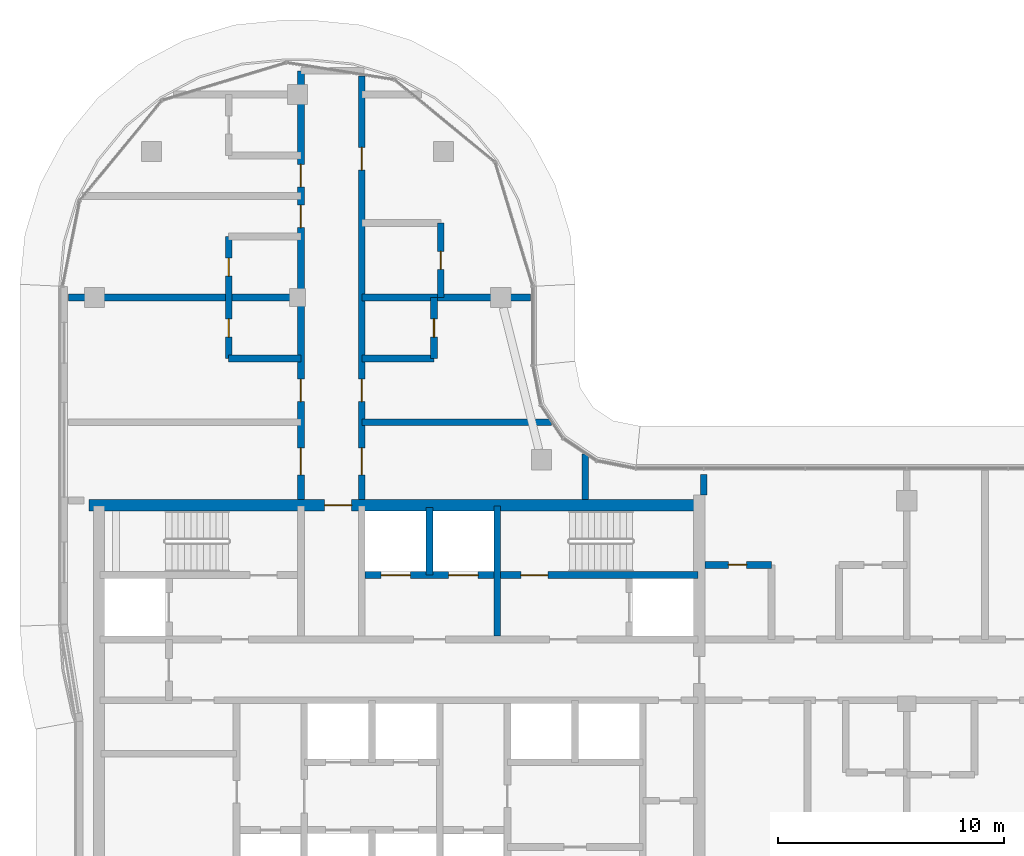
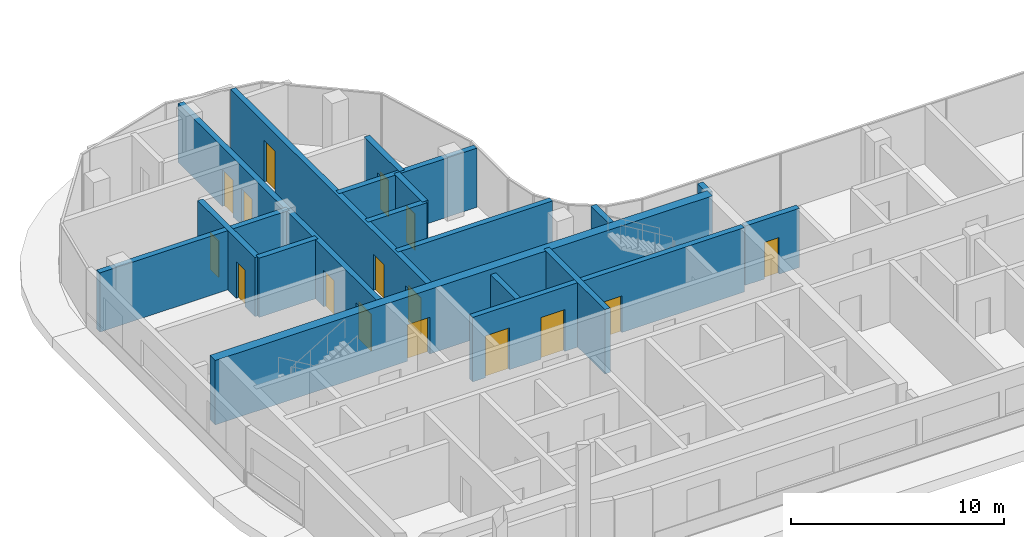
# One storey, part 10 of 21: 17 walls, 16 doors, 16 openings.
"""IFC4 building model written with IfcOpenShell, lengths in metres."""

from ifc_helpers import new_model, si_unit, direction, frame, frame_2d, origin, place, context, subcontext, project, spatial, rectangle, extrude, material, layer, layer_set, type_object, element, fill, save


model = new_model("IFC4")

# Units and contexts
model_context = context("Model", 3, precision=1e-05, world=origin(), true_north=direction((0.0, 1.0)))
body_context = subcontext(model_context, "Body", "Model", "MODEL_VIEW")
ifc_project = project(units=[si_unit("LENGTHUNIT", "METRE"), si_unit("AREAUNIT", "SQUARE_METRE"), si_unit("VOLUMEUNIT", "CUBIC_METRE"), si_unit("PLANEANGLEUNIT", "RADIAN"), si_unit("MASSUNIT", "GRAM", prefix="KILO")], contexts=[model_context])

# Site, building, storey
site_placement = place(None, origin())
site = spatial("IfcSite", under=ifc_project, at=site_placement, CompositionType="ELEMENT")
building_placement = place(site_placement, origin())
building = spatial("IfcBuilding", under=site, at=building_placement, Name="Ogive Portal Towers", CompositionType="ELEMENT")
storey_placement = place(building_placement, frame((0.0, 0.0, 225.39990234375)))
storey = spatial("IfcBuildingStorey", under=building, at=storey_placement, Name="L56", CompositionType="ELEMENT", Elevation=225.39990234375)

# Wall, openings, doors
ifc_material_1 = material(Name="Concrete C60/75", Category="concrete")
ifc_layer_1 = layer(ifc_material_1, 0.300048828125)
ifc_layer_set_1 = layer_set([ifc_layer_1], Name="CORE WALL 300 C60")
wall_type_1 = type_object("IfcWallType", Name="CORE WALL 300 C60", PredefinedType="SHEAR", material=ifc_layer_set_1)
wall_1_placement = place(storey_placement, frame((43.5, 36.199951171875, 0.0), z_axis=(0.0, 0.0, 1.0), x_axis=(1.0, 0.0, 0.0)))
wall_1 = element("IfcWall", 1, at=wall_1_placement, inside=storey, type_object=wall_type_1, Name="Core wall Y3b L56", PredefinedType="SHEAR", context=body_context, shape_type="SweptSolid", body=[
    extrude(rectangle(XDim=14.75, YDim=0.300048828125, at=frame_2d((7.375, 0.0))), origin(), (0.0, 0.0, 1.0), 3.7001953125),
])
opening_1_placement = place(wall_1_placement, frame((6.89990234375, 0.0, 0.0)))
opening_1 = element("IfcOpeningElement", 2, at=opening_1_placement, cuts=wall_1, Name="Opening D25-006", PredefinedType="OPENING", context=body_context, shape_type="SweptSolid", body=[
    extrude(rectangle(XDim=1.199951171875, YDim=2.10009765625, at=frame_2d((0.60009765625, 1.050048828125))), frame((0.0, 0.16015625, 0.0), z_axis=(0.0, -1.0, 0.0), x_axis=(1.0, 0.0, 0.0)), (0.0, 0.0, 1.0), 0.320068359375),
])
opening_2_placement = place(wall_1_placement, frame((0.699951171875, 0.0, 0.0)))
opening_2 = element("IfcOpeningElement", 3, at=opening_2_placement, cuts=wall_1, Name="Opening D25-017", PredefinedType="OPENING", context=body_context, shape_type="SweptSolid", body=[
    extrude(rectangle(XDim=1.300048828125, YDim=2.39990234375, at=frame_2d((0.64990234375, 1.199951171875))), frame((0.0, 0.16015625, 0.0), z_axis=(0.0, -1.0, 0.0), x_axis=(1.0, 0.0, 0.0)), (0.0, 0.0, 1.0), 0.320068359375),
])
opening_3_placement = place(wall_1_placement, frame((3.699951171875, 0.0, 0.0)))
opening_3 = element("IfcOpeningElement", 4, at=opening_3_placement, cuts=wall_1, Name="Opening D25-018", PredefinedType="OPENING", context=body_context, shape_type="SweptSolid", body=[
    extrude(rectangle(XDim=1.300048828125, YDim=2.39990234375, at=frame_2d((0.64990234375, 1.199951171875))), frame((0.0, 0.16015625, 0.0), z_axis=(0.0, -1.0, 0.0), x_axis=(1.0, 0.0, 0.0)), (0.0, 0.0, 1.0), 0.320068359375),
])
ifc_material_2 = material(Name="Stainless steel", Category="steel")
door_type_1 = type_object("IfcDoorType", Name="DT-LD-1300x2400", OperationType="SLIDING_TO_LEFT", PredefinedType="DOOR", material=ifc_material_2)
door_1_placement = place(opening_2_placement, origin())
door_1 = element("IfcDoor", 5, at=door_1_placement, inside=storey, type_object=door_type_1, Name="Door D25-017", OperationType="SLIDING_TO_LEFT", OverallHeight=2.39990234375, OverallWidth=1.300048828125, PredefinedType="DOOR", context=body_context, shape_type="SweptSolid", body=[
    extrude(rectangle(XDim=1.300048828125, YDim=2.39990234375, at=frame_2d((0.64990234375, 1.199951171875))), frame((0.0, 0.02490234375, 0.0), z_axis=(0.0, -1.0, 0.0), x_axis=(1.0, 0.0, 0.0)), (0.0, 0.0, 1.0), 0.050048828125),
])
fill(opening_2, door_1)
door_2_placement = place(opening_3_placement, origin())
door_2 = element("IfcDoor", 6, at=door_2_placement, inside=storey, type_object=door_type_1, Name="Door D25-018", OperationType="SLIDING_TO_LEFT", OverallHeight=2.39990234375, OverallWidth=1.300048828125, PredefinedType="DOOR", context=body_context, shape_type="SweptSolid", body=[
    extrude(rectangle(XDim=1.300048828125, YDim=2.39990234375, at=frame_2d((0.64990234375, 1.199951171875))), frame((0.0, 0.02490234375, 0.0), z_axis=(0.0, -1.0, 0.0), x_axis=(1.0, 0.0, 0.0)), (0.0, 0.0, 1.0), 0.050048828125),
])
fill(opening_3, door_2)
ifc_material_3 = material(Name="Steel fire door", Category="steel")
door_type_2 = type_object("IfcDoorType", Name="DT-SWING-1200x2100-FD90S", OperationType="SINGLE_SWING_LEFT", PredefinedType="DOOR", material=ifc_material_3)
door_3_placement = place(opening_1_placement, origin())
door_3 = element("IfcDoor", 7, at=door_3_placement, inside=storey, type_object=door_type_2, Name="Door D25-006", OperationType="SINGLE_SWING_LEFT", OverallHeight=2.10009765625, OverallWidth=1.199951171875, PredefinedType="DOOR", context=body_context, shape_type="SweptSolid", body=[
    extrude(rectangle(XDim=1.199951171875, YDim=2.10009765625, at=frame_2d((0.60009765625, 1.050048828125))), frame((0.0, 0.02490234375, 0.0), z_axis=(0.0, -1.0, 0.0), x_axis=(1.0, 0.0, 0.0)), (0.0, 0.0, 1.0), 0.050048828125),
])
fill(opening_1, door_3)

# Wall
wall_2_placement = place(storey_placement, frame((49.35009765625, 33.5, 0.0), z_axis=(0.0, 0.0, 1.0), x_axis=(0.0, 1.0, 0.0)))
element("IfcWall", 8, at=wall_2_placement, inside=storey, type_object=wall_type_1, Name="Core wall X9 L56", PredefinedType="SHEAR", context=body_context, shape_type="SweptSolid", body=[
    extrude(rectangle(XDim=5.75, YDim=0.300048828125, at=frame_2d((2.875, 0.0))), origin(), (0.0, 0.0, 1.0), 3.7001953125),
])

# Wall, opening, door
ifc_layer_2 = layer(ifc_material_1, 0.5)
ifc_layer_set_2 = layer_set([ifc_layer_2], Name="CORE WALL 500 C60")
wall_type_2 = type_object("IfcWallType", Name="CORE WALL 500 C60", PredefinedType="SHEAR", material=ifc_layer_set_2)
wall_3_placement = place(storey_placement, frame((31.25, 39.300048828125, 0.0), z_axis=(0.0, 0.0, 1.0), x_axis=(1.0, 0.0, 0.0)))
wall_3 = element("IfcWall", 9, at=wall_3_placement, inside=storey, type_object=wall_type_2, Name="Core wall N L56", PredefinedType="SHEAR", context=body_context, shape_type="SweptSolid", body=[
    extrude(rectangle(XDim=27.0, YDim=0.5, at=frame_2d((13.5, 0.0))), origin(), (0.0, 0.0, 1.0), 3.7001953125),
])
opening_4_placement = place(wall_3_placement, frame((10.449951171875, 0.0, 0.0)))
opening_4 = element("IfcOpeningElement", 10, at=opening_4_placement, cuts=wall_3, Name="Opening D25-012", PredefinedType="OPENING", context=body_context, shape_type="SweptSolid", body=[
    extrude(rectangle(XDim=1.199951171875, YDim=2.10009765625, at=frame_2d((0.60009765625, 1.050048828125))), frame((0.0, 0.260009765625, 0.0), z_axis=(0.0, -1.0, 0.0), x_axis=(1.0, 0.0, 0.0)), (0.0, 0.0, 1.0), 0.52001953125),
])
door_4_placement = place(opening_4_placement, origin())
door_4 = element("IfcDoor", 11, at=door_4_placement, inside=storey, type_object=door_type_2, Name="Door D25-012", OperationType="SINGLE_SWING_RIGHT", OverallHeight=2.10009765625, OverallWidth=1.199951171875, PredefinedType="DOOR", context=body_context, shape_type="SweptSolid", body=[
    extrude(rectangle(XDim=1.199951171875, YDim=2.10009765625, at=frame_2d((0.60009765625, 1.050048828125))), frame((0.0, 0.02490234375, 0.0), z_axis=(0.0, -1.0, 0.0), x_axis=(1.0, 0.0, 0.0)), (0.0, 0.0, 1.0), 0.050048828125),
])
fill(opening_4, door_4)

ifc_material_4 = material(Name="Gypsum board partition on steel studs", Category="steel")
ifc_layer_3 = layer(ifc_material_4, 0.300048828125)
ifc_layer_set_3 = layer_set([ifc_layer_3], Name="WT-PART-300-EI 60")
wall_type_3 = type_object("IfcWallType", Name="WT-PART-300-EI 60", PredefinedType="PARTITIONING", material=ifc_layer_set_3)
wall_4_placement = place(storey_placement, frame((58.550048828125, 36.64990234375, 0.0), z_axis=(0.0, 0.0, 1.0), x_axis=(1.0, 0.0, 0.0)))
wall_4 = element("IfcWall", 12, at=wall_4_placement, inside=storey, type_object=wall_type_3, Name="Wall L56:w011", PredefinedType="PARTITIONING", context=body_context, shape_type="SweptSolid", body=[
    extrude(rectangle(XDim=2.949951171875, YDim=0.300048828125, at=frame_2d((1.47509765625, 0.0))), origin(), (0.0, 0.0, 1.0), 3.400146484375),
])
opening_5_placement = place(wall_4_placement, frame((1.050048828125, 0.0, 0.0)))
opening_5 = element("IfcOpeningElement", 13, at=opening_5_placement, cuts=wall_4, Name="Opening D25-026", PredefinedType="OPENING", context=body_context, shape_type="SweptSolid", body=[
    extrude(rectangle(XDim=0.800048828125, YDim=2.10009765625, at=frame_2d((0.39990234375, 1.050048828125))), frame((0.0, 0.16015625, 0.0), z_axis=(0.0, -1.0, 0.0), x_axis=(1.0, 0.0, 0.0)), (0.0, 0.0, 1.0), 0.320068359375),
])
door_type_3 = type_object("IfcDoorType", Name="DT-BATH-800x2100-FD60S", OperationType="SINGLE_SWING_LEFT", PredefinedType="DOOR", material=ifc_material_3)
door_5_placement = place(opening_5_placement, origin())
door_5 = element("IfcDoor", 14, at=door_5_placement, inside=storey, type_object=door_type_3, Name="Door D25-026", OperationType="SINGLE_SWING_LEFT", OverallHeight=2.10009765625, OverallWidth=0.800048828125, PredefinedType="DOOR", context=body_context, shape_type="SweptSolid", body=[
    extrude(rectangle(XDim=0.800048828125, YDim=2.10009765625, at=frame_2d((0.39990234375, 1.050048828125))), frame((0.0, 0.02490234375, 0.0), z_axis=(0.0, -1.0, 0.0), x_axis=(1.0, 0.0, 0.0)), (0.0, 0.0, 1.0), 0.050048828125),
])
fill(opening_5, door_5)

# Walls
wall_5_placement = place(storey_placement, frame((43.35009765625, 42.969970703125, 0.0), z_axis=(0.0, 0.0, 1.0), x_axis=(1.0, 0.0, 0.0)))
element("IfcWall", 15, at=wall_5_placement, inside=storey, type_object=wall_type_3, Name="Wall L56:w016", PredefinedType="PARTITIONING", context=body_context, shape_type="SweptSolid", body=[
    extrude(rectangle(XDim=8.40185546875, YDim=0.300048828125, at=frame_2d((4.200927734375, 0.0))), origin(), (0.0, 0.0, 1.0), 3.400146484375),
])
for number, where, z_axis, x_axis, name in (
    (16, (37.449951171875, 45.800048828125, 0.0), (0.0, 0.0, 1.0), (1.0, 0.0, 0.0), "Wall L56:w017"),
    (17, (43.35009765625, 45.800048828125, 0.0), (0.0, 0.0, 1.0), (1.0, 0.0, 0.0), "Wall L56:w018"),
):
    element("IfcWall", number, at=place(storey_placement, frame(where, z_axis=z_axis, x_axis=x_axis)), inside=storey, type_object=wall_type_3, Name=name, PredefinedType="PARTITIONING", context=body_context, shape_type="SweptSolid", body=[
        extrude(rectangle(XDim=3.199951171875, YDim=0.300048828125, at=frame_2d((1.60009765625, 0.0))), origin(), (0.0, 0.0, 1.0), 3.400146484375),
    ])
wall_6_placement = place(storey_placement, frame((30.35009765625, 48.5, 0.0), z_axis=(0.0, 0.0, 1.0), x_axis=(1.0, 0.0, 0.0)))
element("IfcWall", 18, at=wall_6_placement, inside=storey, type_object=wall_type_3, Name="Wall L56:w019", PredefinedType="PARTITIONING", context=body_context, shape_type="SweptSolid", body=[
    extrude(rectangle(XDim=10.2998046875, YDim=0.300048828125, at=frame_2d((5.14990234375, 0.0))), origin(), (0.0, 0.0, 1.0), 3.400146484375),
])
wall_7_placement = place(storey_placement, frame((43.35009765625, 48.5, 0.0), z_axis=(0.0, 0.0, 1.0), x_axis=(1.0, 0.0, 0.0)))
element("IfcWall", 19, at=wall_7_placement, inside=storey, type_object=wall_type_3, Name="Wall L56:w020", PredefinedType="PARTITIONING", context=body_context, shape_type="SweptSolid", body=[
    extrude(rectangle(XDim=7.47998046875, YDim=0.300048828125, at=frame_2d((3.739990234375, 0.0))), origin(), (0.0, 0.0, 1.0), 3.400146484375),
])

# Wall, openings, doors
wall_8_placement = place(storey_placement, frame((37.449951171875, 45.800048828125, 0.0), z_axis=(0.0, 0.0, 1.0), x_axis=(0.0, 1.0, 0.0)))
wall_8 = element("IfcWall", 20, at=wall_8_placement, inside=storey, type_object=wall_type_3, Name="Wall L56:w028", PredefinedType="PARTITIONING", context=body_context, shape_type="SweptSolid", body=[
    extrude(rectangle(XDim=5.39990234375, YDim=0.300048828125, at=frame_2d((2.699951171875, 0.0))), origin(), (0.0, 0.0, 1.0), 3.400146484375),
])
opening_6_placement = place(wall_8_placement, frame((0.949951171875, 0.0, 0.0)))
opening_6 = element("IfcOpeningElement", 21, at=opening_6_placement, cuts=wall_8, Name="Opening D25-047", PredefinedType="OPENING", context=body_context, shape_type="SweptSolid", body=[
    extrude(rectangle(XDim=0.800048828125, YDim=2.10009765625, at=frame_2d((0.39990234375, 1.050048828125))), frame((0.0, 0.16015625, 0.0), z_axis=(0.0, -1.0, 0.0), x_axis=(1.0, 0.0, 0.0)), (0.0, 0.0, 1.0), 0.320068359375),
])
opening_7_placement = place(wall_8_placement, frame((3.64990234375, 0.0, 0.0)))
opening_7 = element("IfcOpeningElement", 22, at=opening_7_placement, cuts=wall_8, Name="Opening D25-051", PredefinedType="OPENING", context=body_context, shape_type="SweptSolid", body=[
    extrude(rectangle(XDim=0.800048828125, YDim=2.10009765625, at=frame_2d((0.39990234375, 1.050048828125))), frame((0.0, 0.16015625, 0.0), z_axis=(0.0, -1.0, 0.0), x_axis=(1.0, 0.0, 0.0)), (0.0, 0.0, 1.0), 0.320068359375),
])
door_6_placement = place(opening_6_placement, origin())
door_6 = element("IfcDoor", 23, at=door_6_placement, inside=storey, type_object=door_type_3, Name="Door D25-047", OperationType="SINGLE_SWING_LEFT", OverallHeight=2.10009765625, OverallWidth=0.800048828125, PredefinedType="DOOR", context=body_context, shape_type="SweptSolid", body=[
    extrude(rectangle(XDim=0.800048828125, YDim=2.10009765625, at=frame_2d((0.39990234375, 1.050048828125))), frame((0.0, 0.02490234375, 0.0), z_axis=(0.0, -1.0, 0.0), x_axis=(1.0, 0.0, 0.0)), (0.0, 0.0, 1.0), 0.050048828125),
])
fill(opening_6, door_6)
door_7_placement = place(opening_7_placement, origin())
door_7 = element("IfcDoor", 24, at=door_7_placement, inside=storey, type_object=door_type_3, Name="Door D25-051", OperationType="SINGLE_SWING_RIGHT", OverallHeight=2.10009765625, OverallWidth=0.800048828125, PredefinedType="DOOR", context=body_context, shape_type="SweptSolid", body=[
    extrude(rectangle(XDim=0.800048828125, YDim=2.10009765625, at=frame_2d((0.39990234375, 1.050048828125))), frame((0.0, 0.02490234375, 0.0), z_axis=(0.0, -1.0, 0.0), x_axis=(1.0, 0.0, 0.0)), (0.0, 0.0, 1.0), 0.050048828125),
])
fill(opening_7, door_7)

wall_9_placement = place(storey_placement, frame((40.64990234375, 39.550048828125, 0.0), z_axis=(0.0, 0.0, 1.0), x_axis=(0.0, 1.0, 0.0)))
wall_9 = element("IfcWall", 25, at=wall_9_placement, inside=storey, type_object=wall_type_3, Name="Wall L56:w030", PredefinedType="PARTITIONING", context=body_context, shape_type="SweptSolid", body=[
    extrude(rectangle(XDim=19.0, YDim=0.300048828125, at=frame_2d((9.5, 0.0))), origin(), (0.0, 0.0, 1.0), 3.400146484375),
])
opening_8_placement = place(wall_9_placement, frame((1.0849609375, 0.0, 0.0)))
opening_8 = element("IfcOpeningElement", 26, at=opening_8_placement, cuts=wall_9, Name="Opening D25-046", PredefinedType="OPENING", context=body_context, shape_type="SweptSolid", body=[
    extrude(rectangle(XDim=1.199951171875, YDim=2.10009765625, at=frame_2d((0.60009765625, 1.050048828125))), frame((0.0, 0.16015625, 0.0), z_axis=(0.0, -1.0, 0.0), x_axis=(1.0, 0.0, 0.0)), (0.0, 0.0, 1.0), 0.320068359375),
])
opening_9_placement = place(wall_9_placement, frame((4.3349609375, 0.0, 0.0)))
opening_9 = element("IfcOpeningElement", 27, at=opening_9_placement, cuts=wall_9, Name="Opening D25-048", PredefinedType="OPENING", context=body_context, shape_type="SweptSolid", body=[
    extrude(rectangle(XDim=1.0, YDim=2.10009765625, at=frame_2d((0.5, 1.050048828125))), frame((0.0, 0.16015625, 0.0), z_axis=(0.0, -1.0, 0.0), x_axis=(1.0, 0.0, 0.0)), (0.0, 0.0, 1.0), 0.320068359375),
])
opening_10_placement = place(wall_9_placement, frame((12.050048828125, 0.0, 0.0)))
opening_10 = element("IfcOpeningElement", 28, at=opening_10_placement, cuts=wall_9, Name="Opening D25-052", PredefinedType="OPENING", context=body_context, shape_type="SweptSolid", body=[
    extrude(rectangle(XDim=1.0, YDim=2.10009765625, at=frame_2d((0.5, 1.050048828125))), frame((0.0, 0.16015625, 0.0), z_axis=(0.0, -1.0, 0.0), x_axis=(1.0, 0.0, 0.0)), (0.0, 0.0, 1.0), 0.320068359375),
])
opening_11_placement = place(wall_9_placement, frame((13.85009765625, 0.0, 0.0)))
opening_11 = element("IfcOpeningElement", 29, at=opening_11_placement, cuts=wall_9, Name="Opening D25-054", PredefinedType="OPENING", context=body_context, shape_type="SweptSolid", body=[
    extrude(rectangle(XDim=1.0, YDim=2.10009765625, at=frame_2d((0.5, 1.050048828125))), frame((0.0, 0.16015625, 0.0), z_axis=(0.0, -1.0, 0.0), x_axis=(1.0, 0.0, 0.0)), (0.0, 0.0, 1.0), 0.320068359375),
])
door_type_4 = type_object("IfcDoorType", Name="DT-ENTRY-1000x2100-FD60S", OperationType="SINGLE_SWING_LEFT", PredefinedType="DOOR", material=ifc_material_3)
door_8_placement = place(opening_9_placement, origin())
door_8 = element("IfcDoor", 30, at=door_8_placement, inside=storey, type_object=door_type_4, Name="Door D25-048", OperationType="SINGLE_SWING_LEFT", OverallHeight=2.10009765625, OverallWidth=1.0, PredefinedType="DOOR", context=body_context, shape_type="SweptSolid", body=[
    extrude(rectangle(XDim=1.0, YDim=2.10009765625, at=frame_2d((0.5, 1.050048828125))), frame((0.0, 0.02490234375, 0.0), z_axis=(0.0, -1.0, 0.0), x_axis=(1.0, 0.0, 0.0)), (0.0, 0.0, 1.0), 0.050048828125),
])
fill(opening_9, door_8)
door_9_placement = place(opening_10_placement, origin())
door_9 = element("IfcDoor", 31, at=door_9_placement, inside=storey, type_object=door_type_4, Name="Door D25-052", OperationType="SINGLE_SWING_LEFT", OverallHeight=2.10009765625, OverallWidth=1.0, PredefinedType="DOOR", context=body_context, shape_type="SweptSolid", body=[
    extrude(rectangle(XDim=1.0, YDim=2.10009765625, at=frame_2d((0.5, 1.050048828125))), frame((0.0, 0.02490234375, 0.0), z_axis=(0.0, -1.0, 0.0), x_axis=(1.0, 0.0, 0.0)), (0.0, 0.0, 1.0), 0.050048828125),
])
fill(opening_10, door_9)
door_10_placement = place(opening_11_placement, origin())
door_10 = element("IfcDoor", 32, at=door_10_placement, inside=storey, type_object=door_type_4, Name="Door D25-054", OperationType="SINGLE_SWING_LEFT", OverallHeight=2.10009765625, OverallWidth=1.0, PredefinedType="DOOR", context=body_context, shape_type="SweptSolid", body=[
    extrude(rectangle(XDim=1.0, YDim=2.10009765625, at=frame_2d((0.5, 1.050048828125))), frame((0.0, 0.02490234375, 0.0), z_axis=(0.0, -1.0, 0.0), x_axis=(1.0, 0.0, 0.0)), (0.0, 0.0, 1.0), 0.050048828125),
])
fill(opening_11, door_10)
door_type_5 = type_object("IfcDoorType", Name="DT-ENTRY-1200x2100-FD60S", OperationType="SINGLE_SWING_LEFT", PredefinedType="DOOR", material=ifc_material_3)
door_11_placement = place(opening_8_placement, origin())
door_11 = element("IfcDoor", 33, at=door_11_placement, inside=storey, type_object=door_type_5, Name="Door D25-046", OperationType="SINGLE_SWING_RIGHT", OverallHeight=2.10009765625, OverallWidth=1.199951171875, PredefinedType="DOOR", context=body_context, shape_type="SweptSolid", body=[
    extrude(rectangle(XDim=1.199951171875, YDim=2.10009765625, at=frame_2d((0.60009765625, 1.050048828125))), frame((0.0, 0.02490234375, 0.0), z_axis=(0.0, -1.0, 0.0), x_axis=(1.0, 0.0, 0.0)), (0.0, 0.0, 1.0), 0.050048828125),
])
fill(opening_8, door_11)

wall_10_placement = place(storey_placement, frame((43.35009765625, 39.550048828125, 0.0), z_axis=(0.0, 0.0, 1.0), x_axis=(0.0, 1.0, 0.0)))
wall_10 = element("IfcWall", 34, at=wall_10_placement, inside=storey, type_object=wall_type_3, Name="Wall L56:w031", PredefinedType="PARTITIONING", context=body_context, shape_type="SweptSolid", body=[
    extrude(rectangle(XDim=18.77099609375, YDim=0.300048828125, at=frame_2d((9.385498046875, 0.0))), origin(), (0.0, 0.0, 1.0), 3.400146484375),
])
opening_12_placement = place(wall_10_placement, frame((1.0849609375, 0.0, 0.0)))
opening_12 = element("IfcOpeningElement", 35, at=opening_12_placement, cuts=wall_10, Name="Opening D25-043", PredefinedType="OPENING", context=body_context, shape_type="SweptSolid", body=[
    extrude(rectangle(XDim=1.199951171875, YDim=2.10009765625, at=frame_2d((0.60009765625, 1.050048828125))), frame((0.0, 0.16015625, 0.0), z_axis=(0.0, -1.0, 0.0), x_axis=(1.0, 0.0, 0.0)), (0.0, 0.0, 1.0), 0.320068359375),
])
opening_13_placement = place(wall_10_placement, frame((4.3349609375, 0.0, 0.0)))
opening_13 = element("IfcOpeningElement", 36, at=opening_13_placement, cuts=wall_10, Name="Opening D25-045", PredefinedType="OPENING", context=body_context, shape_type="SweptSolid", body=[
    extrude(rectangle(XDim=1.0, YDim=2.10009765625, at=frame_2d((0.5, 1.050048828125))), frame((0.0, 0.16015625, 0.0), z_axis=(0.0, -1.0, 0.0), x_axis=(1.0, 0.0, 0.0)), (0.0, 0.0, 1.0), 0.320068359375),
])
opening_14_placement = place(wall_10_placement, frame((14.60009765625, 0.0, 0.0)))
opening_14 = element("IfcOpeningElement", 37, at=opening_14_placement, cuts=wall_10, Name="Opening D25-050", PredefinedType="OPENING", context=body_context, shape_type="SweptSolid", body=[
    extrude(rectangle(XDim=1.0, YDim=2.39990234375, at=frame_2d((0.5, 1.199951171875))), frame((0.0, 0.16015625, 0.0), z_axis=(0.0, -1.0, 0.0), x_axis=(1.0, 0.0, 0.0)), (0.0, 0.0, 1.0), 0.320068359375),
])
door_12_placement = place(opening_13_placement, origin())
door_12 = element("IfcDoor", 38, at=door_12_placement, inside=storey, type_object=door_type_4, Name="Door D25-045", OperationType="SINGLE_SWING_LEFT", OverallHeight=2.10009765625, OverallWidth=1.0, PredefinedType="DOOR", context=body_context, shape_type="SweptSolid", body=[
    extrude(rectangle(XDim=1.0, YDim=2.10009765625, at=frame_2d((0.5, 1.050048828125))), frame((0.0, 0.02490234375, 0.0), z_axis=(0.0, -1.0, 0.0), x_axis=(1.0, 0.0, 0.0)), (0.0, 0.0, 1.0), 0.050048828125),
])
fill(opening_13, door_12)
door_type_6 = type_object("IfcDoorType", Name="DT-ENTRY-1000x2400-FD60S", OperationType="SINGLE_SWING_LEFT", PredefinedType="DOOR", material=ifc_material_3)
door_13_placement = place(opening_14_placement, origin())
door_13 = element("IfcDoor", 39, at=door_13_placement, inside=storey, type_object=door_type_6, Name="Door D25-050", OperationType="SINGLE_SWING_RIGHT", OverallHeight=2.39990234375, OverallWidth=1.0, PredefinedType="DOOR", context=body_context, shape_type="SweptSolid", body=[
    extrude(rectangle(XDim=1.0, YDim=2.39990234375, at=frame_2d((0.5, 1.199951171875))), frame((0.0, 0.02490234375, 0.0), z_axis=(0.0, -1.0, 0.0), x_axis=(1.0, 0.0, 0.0)), (0.0, 0.0, 1.0), 0.050048828125),
])
fill(opening_14, door_13)
door_14_placement = place(opening_12_placement, origin())
door_14 = element("IfcDoor", 40, at=door_14_placement, inside=storey, type_object=door_type_5, Name="Door D25-043", OperationType="SINGLE_SWING_RIGHT", OverallHeight=2.10009765625, OverallWidth=1.199951171875, PredefinedType="DOOR", context=body_context, shape_type="SweptSolid", body=[
    extrude(rectangle(XDim=1.199951171875, YDim=2.10009765625, at=frame_2d((0.60009765625, 1.050048828125))), frame((0.0, 0.02490234375, 0.0), z_axis=(0.0, -1.0, 0.0), x_axis=(1.0, 0.0, 0.0)), (0.0, 0.0, 1.0), 0.050048828125),
])
fill(opening_12, door_14)

# Wall, opening, door
wall_11_placement = place(storey_placement, frame((46.550048828125, 45.800048828125, 0.0), z_axis=(0.0, 0.0, 1.0), x_axis=(0.0, 1.0, 0.0)))
wall_11 = element("IfcWall", 41, at=wall_11_placement, inside=storey, type_object=wall_type_3, Name="Wall L56:w032", PredefinedType="PARTITIONING", context=body_context, shape_type="SweptSolid", body=[
    extrude(rectangle(XDim=2.699951171875, YDim=0.300048828125, at=frame_2d((1.35009765625, 0.0))), origin(), (0.0, 0.0, 1.0), 3.400146484375),
])
opening_15_placement = place(wall_11_placement, frame((0.949951171875, 0.0, 0.0)))
opening_15 = element("IfcOpeningElement", 42, at=opening_15_placement, cuts=wall_11, Name="Opening D25-044", PredefinedType="OPENING", context=body_context, shape_type="SweptSolid", body=[
    extrude(rectangle(XDim=0.800048828125, YDim=2.10009765625, at=frame_2d((0.39990234375, 1.050048828125))), frame((0.0, 0.16015625, 0.0), z_axis=(0.0, -1.0, 0.0), x_axis=(1.0, 0.0, 0.0)), (0.0, 0.0, 1.0), 0.320068359375),
])
door_15_placement = place(opening_15_placement, origin())
door_15 = element("IfcDoor", 43, at=door_15_placement, inside=storey, type_object=door_type_3, Name="Door D25-044", OperationType="SINGLE_SWING_LEFT", OverallHeight=2.10009765625, OverallWidth=0.800048828125, PredefinedType="DOOR", context=body_context, shape_type="SweptSolid", body=[
    extrude(rectangle(XDim=0.800048828125, YDim=2.10009765625, at=frame_2d((0.39990234375, 1.050048828125))), frame((0.0, 0.02490234375, 0.0), z_axis=(0.0, -1.0, 0.0), x_axis=(1.0, 0.0, 0.0)), (0.0, 0.0, 1.0), 0.050048828125),
])
fill(opening_15, door_15)

wall_12_placement = place(storey_placement, frame((46.85009765625, 48.5, 0.0), z_axis=(0.0, 0.0, 1.0), x_axis=(0.0, 1.0, 0.0)))
wall_12 = element("IfcWall", 44, at=wall_12_placement, inside=storey, type_object=wall_type_3, Name="Wall L56:w033", PredefinedType="PARTITIONING", context=body_context, shape_type="SweptSolid", body=[
    extrude(rectangle(XDim=3.300048828125, YDim=0.300048828125, at=frame_2d((1.64990234375, 0.0))), origin(), (0.0, 0.0, 1.0), 3.400146484375),
])
opening_16_placement = place(wall_12_placement, frame((1.25, 0.0, 0.0)))
opening_16 = element("IfcOpeningElement", 45, at=opening_16_placement, cuts=wall_12, Name="Opening D25-049", PredefinedType="OPENING", context=body_context, shape_type="SweptSolid", body=[
    extrude(rectangle(XDim=0.800048828125, YDim=2.10009765625, at=frame_2d((0.39990234375, 1.050048828125))), frame((0.0, 0.16015625, 0.0), z_axis=(0.0, -1.0, 0.0), x_axis=(1.0, 0.0, 0.0)), (0.0, 0.0, 1.0), 0.320068359375),
])
door_16_placement = place(opening_16_placement, origin())
door_16 = element("IfcDoor", 46, at=door_16_placement, inside=storey, type_object=door_type_3, Name="Door D25-049", OperationType="SINGLE_SWING_LEFT", OverallHeight=2.10009765625, OverallWidth=0.800048828125, PredefinedType="DOOR", context=body_context, shape_type="SweptSolid", body=[
    extrude(rectangle(XDim=0.800048828125, YDim=2.10009765625, at=frame_2d((0.39990234375, 1.050048828125))), frame((0.0, 0.02490234375, 0.0), z_axis=(0.0, -1.0, 0.0), x_axis=(1.0, 0.0, 0.0)), (0.0, 0.0, 1.0), 0.050048828125),
])
fill(opening_16, door_16)

# Walls
wall_13_placement = place(storey_placement, frame((53.25, 39.550048828125, 0.0), z_axis=(0.0, 0.0, 1.0), x_axis=(0.0, 1.0, 0.0)))
element("IfcWall", 47, at=wall_13_placement, inside=storey, type_object=wall_type_3, Name="Wall L56:w034", PredefinedType="PARTITIONING", context=body_context, shape_type="SweptSolid", body=[
    extrude(rectangle(XDim=2.014892578125, YDim=0.300048828125, at=frame_2d((1.00732421875, 0.0))), origin(), (0.0, 0.0, 1.0), 3.400146484375),
])
wall_14_placement = place(storey_placement, frame((58.5, 39.75, 0.0), z_axis=(0.0, 0.0, 1.0), x_axis=(0.0, 1.0, 0.0)))
element("IfcWall", 48, at=wall_14_placement, inside=storey, type_object=wall_type_3, Name="Wall L56:w036", PredefinedType="PARTITIONING", context=body_context, shape_type="SweptSolid", body=[
    extrude(rectangle(XDim=0.89990234375, YDim=0.300048828125, at=frame_2d((0.449951171875, 0.0))), origin(), (0.0, 0.0, 1.0), 3.400146484375),
])
ifc_material_5 = material(Name="Concrete C40/50", Category="concrete")
ifc_layer_4 = layer(ifc_material_5, 0.300048828125)
ifc_layer_set_4 = layer_set([ifc_layer_4], Name="WT-SHAFT-300")
wall_type_4 = type_object("IfcWallType", Name="WT-SHAFT-300", PredefinedType="SOLIDWALL", material=ifc_layer_set_4)
wall_15_placement = place(storey_placement, frame((46.35009765625, 36.199951171875, 0.0), z_axis=(0.0, 0.0, 1.0), x_axis=(0.0, 1.0, 0.0)))
element("IfcWall", 49, at=wall_15_placement, inside=storey, type_object=wall_type_4, Name="Wall pw:010:L56", PredefinedType="SOLIDWALL", context=body_context, shape_type="SweptSolid", body=[
    extrude(rectangle(XDim=3.0, YDim=0.300048828125, at=frame_2d((1.5, 0.0))), origin(), (0.0, 0.0, 1.0), 3.400146484375),
])

save(model, "model.ifc")
